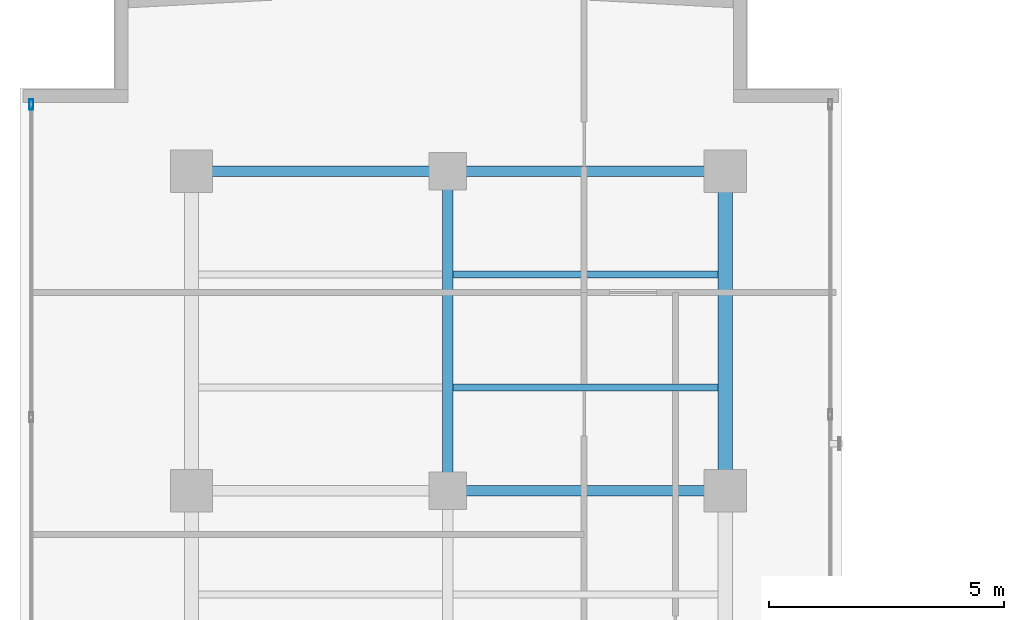
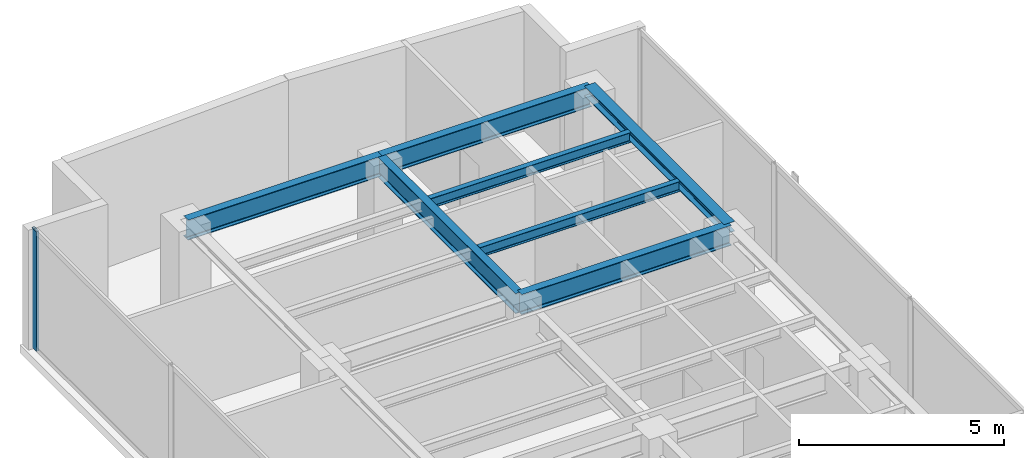
# One storey, part 14 of 22: 7 beams, 1 member, 1 element without a shape of its own.
"""IFC4 building model written with IfcOpenShell, lengths in metres."""

from ifc_helpers import new_model, si_unit, direction, frame, origin, origin_with_axes, origin_2d, place, context, subcontext, project, spatial, hollow_rectangle, i_section, extrude, source, transform, mapped, material, layer, layer_set, material_profile, profile_set, type_object, element, aggregate, save


model = new_model("IFC4")

# Units and contexts
model_context = context("Model", 3, precision=1e-05, world=origin(), true_north=direction((0.0, 1.0)))
body_context = subcontext(model_context, "Body", "Model", "MODEL_VIEW")
ifc_project = project(units=[si_unit("LENGTHUNIT", "METRE"), si_unit("AREAUNIT", "SQUARE_METRE"), si_unit("VOLUMEUNIT", "CUBIC_METRE"), si_unit("PLANEANGLEUNIT", "RADIAN"), si_unit("MASSUNIT", "GRAM", prefix="KILO")], contexts=[model_context])

# Site, building, storey
site_placement = place(None, origin())
site = spatial("IfcSite", under=ifc_project, at=site_placement, CompositionType="ELEMENT")
building_placement = place(site_placement, origin())
building = spatial("IfcBuilding", under=site, at=building_placement, Name="Kolvaren Waterfront Exchange", CompositionType="ELEMENT")
storey_placement = place(building_placement, frame((0.0, 0.0, 308.39990234375)))
storey = spatial("IfcBuildingStorey", under=building, at=storey_placement, Name="L79", CompositionType="ELEMENT", Elevation=308.39990234375)

# Beams
ifc_material_1 = material(Name="Steel S355", Category="steel")
ifc_material_profile_1 = material_profile(ifc_material_1, i_section(OverallWidth=0.300048828125, OverallDepth=0.300048828125, WebThickness=0.010986328125, FlangeThickness=0.01904296875, FilletRadius=0.027099609375, at=origin_2d()), Name="HEB300")
ifc_profile_set_1 = profile_set([ifc_material_profile_1], Name="Steel S355")
beam_type_1 = type_object("IfcBeamType", Name="STR-BM-HEB300", PredefinedType="SPANDREL", material=ifc_profile_set_1)
beam_1_placement = place(storey_placement, frame((18.800048828125, 37.800048828125, 3.41015625), z_axis=(0.0, 1.0, 0.0), x_axis=(-1.0, 0.0, 0.0)))
element("IfcBeam", 1, at=beam_1_placement, inside=storey, type_object=beam_type_1, Name="L79 north-arm edge beam 3", PredefinedType="SPANDREL", context=body_context, shape_type="SweptSolid", body=[
    extrude(i_section(OverallWidth=0.300048828125, OverallDepth=0.300048828125, WebThickness=0.010986328125, FlangeThickness=0.01904296875, FilletRadius=0.027099609375, at=origin_2d()), origin(), (0.0, 0.0, 1.0), 6.800048828125),
])
ifc_material_profile_2 = material_profile(ifc_material_1, i_section(OverallWidth=0.14990234375, OverallDepth=0.300048828125, WebThickness=0.007080078125, FlangeThickness=0.0107421875, FilletRadius=0.014892578125, at=origin_2d()), Name="IPE300")
ifc_profile_set_2 = profile_set([ifc_material_profile_2], Name="Steel S355")
beam_type_2 = type_object("IfcBeamType", Name="STR-BM-IPE300", PredefinedType="JOIST", material=ifc_profile_set_2)
for number, where, z_axis, x_axis, name in (
    (2, (13.011962890625, 40.0, 3.41015625), (1.0, 0.0, 0.0), (0.0, 1.0, 0.0), "L79 north-arm composite joist 5B"),
    (3, (13.011962890625, 42.39990234375, 3.41015625), (1.0, 0.0, 0.0), (0.0, 1.0, 0.0), "L79 north-arm composite joist 6B"),
):
    element("IfcBeam", number, at=place(storey_placement, frame(where, z_axis=z_axis, x_axis=x_axis)), inside=storey, type_object=beam_type_2, Name=name, PredefinedType="JOIST", context=body_context, shape_type="SweptSolid", body=[
        extrude(i_section(OverallWidth=0.14990234375, OverallDepth=0.300048828125, WebThickness=0.007080078125, FlangeThickness=0.0107421875, FilletRadius=0.014892578125, at=origin_2d()), origin(), (0.0, 0.0, 1.0), 5.635986328125),
    ])
ifc_material_profile_3 = material_profile(ifc_material_1, i_section(OverallWidth=0.219970703125, OverallDepth=0.60009765625, WebThickness=0.011962890625, FlangeThickness=0.01904296875, FilletRadius=0.02392578125, at=origin_2d()), Name="IPE600")
ifc_profile_set_3 = profile_set([ifc_material_profile_3], Name="Steel S355")
beam_type_3 = type_object("IfcBeamType", Name="STR-BM-IPE600", PredefinedType="BEAM", material=ifc_profile_set_3)
beam_2_placement = place(storey_placement, frame((12.89990234375, 37.800048828125, 3.260009765625), z_axis=(1.0, 0.0, 0.0), x_axis=(0.0, 1.0, 0.0)))
element("IfcBeam", 4, at=beam_2_placement, inside=storey, type_object=beam_type_3, Name="L79 north-arm girder 3B", PredefinedType="BEAM", context=body_context, shape_type="SweptSolid", body=[
    extrude(i_section(OverallWidth=0.219970703125, OverallDepth=0.60009765625, WebThickness=0.011962890625, FlangeThickness=0.01904296875, FilletRadius=0.02392578125, at=origin_2d()), origin(), (0.0, 0.0, 1.0), 5.900146484375),
])
beam_3_placement = place(storey_placement, frame((7.449951171875, 44.60009765625, 3.260009765625), z_axis=(1.0, 0.0, 0.0), x_axis=(0.0, 1.0, 0.0)))
element("IfcBeam", 5, at=beam_3_placement, inside=storey, type_object=beam_type_3, Name="L79 north-arm girder 4A", PredefinedType="BEAM", context=body_context, shape_type="SweptSolid", body=[
    extrude(i_section(OverallWidth=0.219970703125, OverallDepth=0.60009765625, WebThickness=0.011962890625, FlangeThickness=0.01904296875, FilletRadius=0.02392578125, at=origin_2d()), origin(), (0.0, 0.0, 1.0), 5.449951171875),
])
beam_4_placement = place(storey_placement, frame((12.89990234375, 44.60009765625, 3.260009765625), z_axis=(1.0, 0.0, 0.0), x_axis=(0.0, 1.0, 0.0)))
element("IfcBeam", 6, at=beam_4_placement, inside=storey, type_object=beam_type_3, Name="L79 north-arm girder 4B", PredefinedType="BEAM", context=body_context, shape_type="SweptSolid", body=[
    extrude(i_section(OverallWidth=0.219970703125, OverallDepth=0.60009765625, WebThickness=0.011962890625, FlangeThickness=0.01904296875, FilletRadius=0.02392578125, at=origin_2d()), origin(), (0.0, 0.0, 1.0), 5.900146484375),
])
beam_5_placement = place(storey_placement, frame((12.89990234375, 37.800048828125, 3.260009765625), z_axis=(0.0, 1.0, 0.0), x_axis=(-1.0, 0.0, 0.0)))
element("IfcBeam", 7, at=beam_5_placement, inside=storey, type_object=beam_type_3, Name="L79 north-arm edge beam 3", PredefinedType="BEAM", context=body_context, shape_type="SweptSolid", body=[
    extrude(i_section(OverallWidth=0.219970703125, OverallDepth=0.60009765625, WebThickness=0.011962890625, FlangeThickness=0.01904296875, FilletRadius=0.02392578125, at=origin_2d()), origin(), (0.0, 0.0, 1.0), 6.800048828125),
])

# Curtain wall, member
ifc_material_2 = material(Name="Anodised aluminium 6063-T6", Category="aluminium")
ifc_layer = layer(ifc_material_2, 0.219970703125, Name="Anodised aluminium 6063-T6")
ifc_layer_set = layer_set([ifc_layer], Name="Anodised aluminium 6063-T6")
curtain_wall_type = type_object("IfcCurtainWallType", Name="ARC-CW-SYS2", PredefinedType="USERDEFINED", material=ifc_layer_set)
curtain_wall_placement = place(storey_placement, origin())
curtain_wall = element("IfcCurtainWall", 8, at=curtain_wall_placement, inside=storey, type_object=curtain_wall_type, Name="L79 stick curtain wall CW2 (CW-L79-W)", ObjectType="STICK CURTAIN WALL", PredefinedType="USERDEFINED")
ifc_material_profile_4 = material_profile(ifc_material_2, hollow_rectangle(XDim=0.080078125, YDim=0.219970703125, WallThickness=0.0048828125, at=origin_2d()), Name="ALU-MUL-220x80x5")
ifc_profile_set_4 = profile_set([ifc_material_profile_4], Name="Anodised aluminium 6063-T6")
member_type = type_object("IfcMemberType", Name="ARC-CWM-220", PredefinedType="MULLION", material=ifc_profile_set_4)
shared_shape = source(origin_with_axes(), body_context, "Body", "SweptSolid", [
    extrude(hollow_rectangle(XDim=0.080078125, YDim=0.219970703125, WallThickness=0.0048828125, at=origin_2d()), origin(), (0.0, 0.0, 1.0), 3.56005859375),
])
member_placement = place(storey_placement, frame((4.0400390625, 46.017822265625, 0.0), z_axis=(0.0, 0.0, 1.0), x_axis=(-1.0, 0.0, 0.0)))
member = element("IfcMember", 9, at=member_placement, type_object=member_type, Name="CW2 mullion 7", PredefinedType="MULLION", context=body_context, shape_type="MappedRepresentation", body=[
    mapped(shared_shape, transform((0.0, 0.0, 0.0), x_axis=(1.0, 0.0, 0.0), y_axis=(0.0, 1.0, 0.0), z_axis=(0.0, 0.0, 1.0), scale=1.0)),
])
aggregate(curtain_wall, [member])

save(model, "model.ifc")
